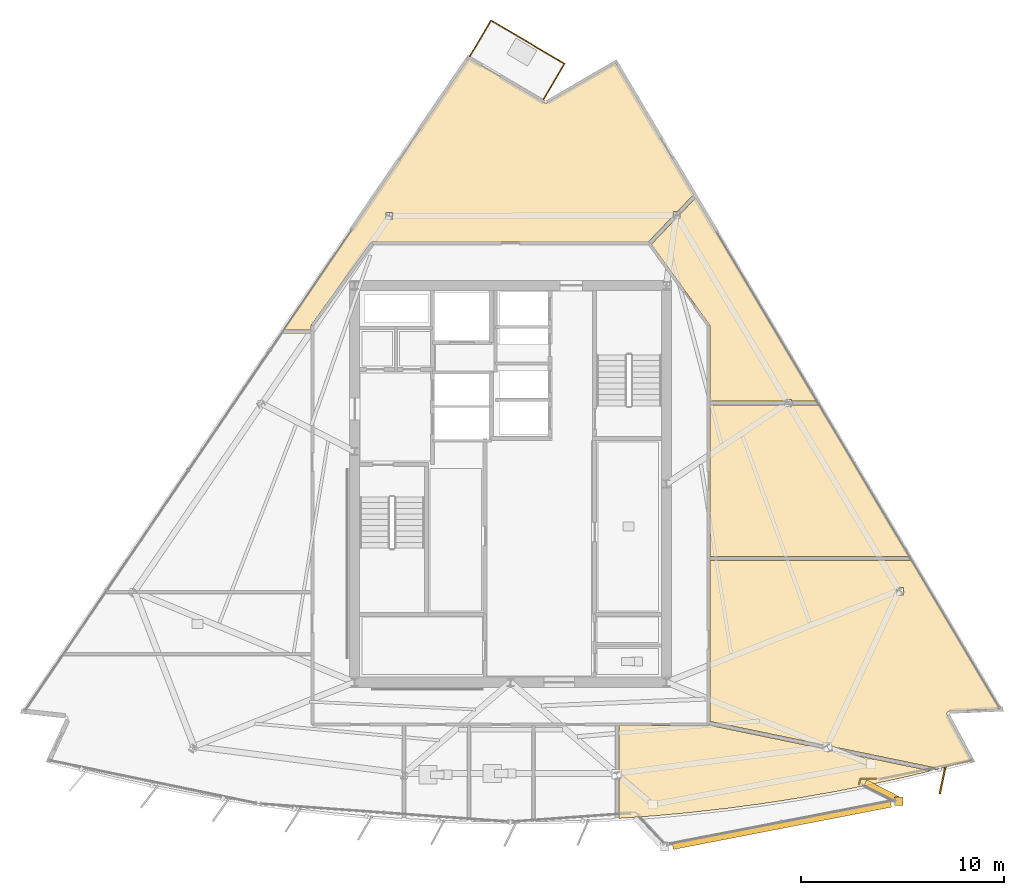
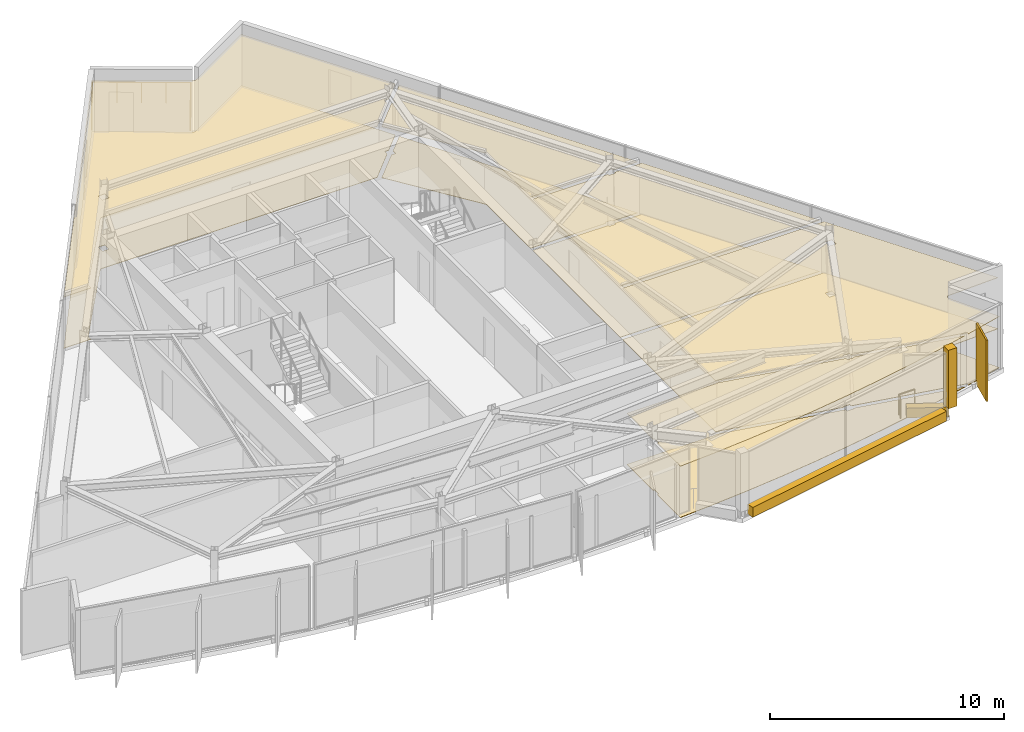
# One storey, part 11 of 12: 13 coverings, 4 railings, 1 shading device.
"""IFC4 building model written with IfcOpenShell, lengths in metres."""

from ifc_helpers import new_model, si_unit, direction, frame, origin, origin_2d, place, context, subcontext, project, spatial, polyline, rectangle, circle, outline, extrude, material, layer, layer_set, type_object, element, save


model = new_model("IFC4")

# Units and contexts
model_context = context("Model", 3, precision=1e-05, world=origin(), true_north=direction((0.0, 1.0)))
body_context = subcontext(model_context, "Body", "Model", "MODEL_VIEW")
ifc_project = project(units=[si_unit("LENGTHUNIT", "METRE"), si_unit("AREAUNIT", "SQUARE_METRE"), si_unit("VOLUMEUNIT", "CUBIC_METRE"), si_unit("PLANEANGLEUNIT", "RADIAN"), si_unit("MASSUNIT", "GRAM", prefix="KILO")], contexts=[model_context])

# Site, building, storey
site_placement = place(None, origin())
site = spatial("IfcSite", under=ifc_project, at=site_placement, CompositionType="ELEMENT")
building_placement = place(site_placement, origin())
building = spatial("IfcBuilding", under=site, at=building_placement, Name="Savorim Split Tower", CompositionType="ELEMENT")
storey_placement = place(building_placement, frame((0.0, 0.0, 261.60009765625)))
storey = spatial("IfcBuildingStorey", under=building, at=storey_placement, Name="L69", CompositionType="ELEMENT", Elevation=261.60009765625)

# Coverings
ifc_material_1 = material(Name="Mineral Fibre Acoustic Ceiling")
ifc_layer_1 = layer(ifc_material_1, 0.02490234375)
ifc_layer_set_1 = layer_set([ifc_layer_1], Name="COV-CEIL-25")
covering_type_1 = type_object("IfcCoveringType", Name="COV-CEIL-25", PredefinedType="CEILING", material=ifc_layer_set_1)
covering_1_placement = place(storey_placement, frame((0.0, 0.0, 2.669921875)))
element("IfcCovering", 1, at=covering_1_placement, inside=storey, type_object=covering_type_1, Name="L69 Communal Lounge Acoustic Ceiling", PredefinedType="CEILING", context=body_context, shape_type="SweptSolid", body=[
    extrude(outline(polyline([(14.2060546875, -15.117919921875), (15.962646484375, -14.80908203125), (17.712890625, -14.464599609375), (19.45556640625, -14.084228515625), (20.75732421875, -13.77197265625), (15.8330078125, -12.75830078125), (15.8330078125, -12.802490234375), (15.50390625, -12.802490234375), (15.50390625, -12.690673828125), (9.818115234375, -11.520263671875), (9.782470703125, -11.512939453125), (9.77783203125, -11.516357421875), (9.76611328125, -11.5234375), (9.753662109375, -11.529296875), (9.740478515625, -11.533935546875), (9.727294921875, -11.537353515625), (9.713623046875, -11.539306640625), (9.699951171875, -11.5400390625), (5.34619140625, -11.5400390625), (5.34619140625, -13.7900390625), (5.415771484375, -13.7900390625), (5.415771484375, -14.14013671875), (5.34619140625, -14.14013671875), (5.34619140625, -16.073974609375), (5.34619140625, -16.119140625), (5.34765625, -16.118896484375), (7.126953125, -15.991455078125), (8.90283203125, -15.827392578125), (10.67529296875, -15.626953125), (12.443359375, -15.390380859375), (14.2060546875, -15.117919921875)])), origin(), (0.0, 0.0, 1.0), 0.02490234375),
])
covering_2_placement = place(storey_placement, frame((0.0, 0.0, 2.669921875)))
element("IfcCovering", 2, at=covering_2_placement, inside=storey, type_object=covering_type_1, Name="L69 Co-Working Commons Acoustic Ceiling", PredefinedType="CEILING", context=body_context, shape_type="SweptSolid", body=[
    extrude(outline(polyline([(21.639404296875, -10.830810546875), (21.650634765625, -10.828857421875), (21.662109375, -10.82763671875), (24.16357421875, -10.72119140625), (19.80078125, -3.384521484375), (9.840087890625, -3.384521484375), (9.840087890625, -11.330810546875), (15.50390625, -12.49658203125), (15.50390625, -12.45263671875), (15.8330078125, -12.45263671875), (15.8330078125, -12.564453125), (20.87890625, -13.60302734375), (20.9716796875, -13.622314453125), (20.950439453125, -13.7255859375), (21.18994140625, -13.668212890625), (22.769287109375, -13.25537109375), (21.5615234375, -11.00439453125), (21.556640625, -10.993896484375), (21.552734375, -10.983154296875), (21.5498046875, -10.971923828125), (21.548095703125, -10.96044921875), (21.54736328125, -10.948974609375), (21.547607421875, -10.9375), (21.54931640625, -10.926025390625), (21.552001953125, -10.914794921875), (21.5556640625, -10.90380859375), (21.560302734375, -10.893310546875), (21.56591796875, -10.88330078125), (21.57275390625, -10.873779296875), (21.580078125, -10.864990234375), (21.58837890625, -10.857177734375), (21.59765625, -10.849853515625), (21.607421875, -10.84375), (21.61767578125, -10.83837890625), (21.62841796875, -10.833984375), (21.639404296875, -10.830810546875)]), holes=[polyline([(19.4091796875, -5.076904296875), (19.4091796875, -4.726806640625), (19.080078125, -4.726806640625), (19.080078125, -5.076904296875), (19.4091796875, -5.076904296875)])]), origin(), (0.0, 0.0, 1.0), 0.02490234375),
])
covering_3_placement = place(storey_placement, frame((0.0, 0.0, 2.669921875)))
element("IfcCovering", 3, at=covering_3_placement, inside=storey, type_object=covering_type_1, Name="L69 Co-Working Commons Acoustic Ceiling", PredefinedType="CEILING", context=body_context, shape_type="SweptSolid", body=[
    extrude(outline(polyline([(13.558837890625, 4.20849609375), (13.558837890625, 4.28857421875), (9.840087890625, 4.28857421875), (9.840087890625, -3.194580078125), (19.68798828125, -3.194580078125), (15.21875, 4.321533203125), (15.21875, 4.28857421875), (13.887939453125, 4.28857421875), (13.887939453125, 4.20849609375), (13.558837890625, 4.20849609375)])), origin(), (0.0, 0.0, 1.0), 0.02490234375),
])
covering_4_placement = place(storey_placement, frame((0.0, 0.0, 2.669921875)))
element("IfcCovering", 4, at=covering_4_placement, inside=storey, type_object=covering_type_1, Name="L69 Quiet Study Room Acoustic Ceiling", PredefinedType="CEILING", context=body_context, shape_type="SweptSolid", body=[
    extrude(outline(polyline([(13.887939453125, 4.55859375), (13.887939453125, 4.478515625), (15.123779296875, 4.478515625), (15.12548828125, 4.478515625), (9.151611328125, 14.525146484375), (8.36669921875, 13.70361328125), (8.36669921875, 13.493896484375), (8.166259765625, 13.493896484375), (6.964599609375, 12.236328125), (6.954345703125, 12.2255859375), (9.813232421875, 8.2822265625), (9.8212890625, 8.27001953125), (9.827880859375, 8.2568359375), (9.833251953125, 8.2431640625), (9.8369140625, 8.22900390625), (9.839111328125, 8.214599609375), (9.840087890625, 8.199951171875), (9.840087890625, 4.478515625), (13.558837890625, 4.478515625), (13.558837890625, 4.55859375), (13.887939453125, 4.55859375)])), origin(), (0.0, 0.0, 1.0), 0.02490234375),
])
covering_5_placement = place(storey_placement, frame((0.0, 0.0, 2.669921875)))
element("IfcCovering", 5, at=covering_5_placement, inside=storey, type_object=covering_type_1, Name="L69 Co-Working Commons Acoustic Ceiling", PredefinedType="CEILING", context=body_context, shape_type="SweptSolid", body=[
    extrude(outline(polyline([(1.697265625, 19.2041015625), (1.6865234375, 19.20849609375), (1.676513671875, 19.213623046875), (-2.071533203125, 21.41650390625), (-11.19482421875, 8.00537109375), (-9.840087890625, 8.00537109375), (-9.840087890625, 8.199951171875), (-9.839111328125, 8.214599609375), (-9.8369140625, 8.22900390625), (-9.833251953125, 8.2431640625), (-9.827880859375, 8.2568359375), (-9.8212890625, 8.27001953125), (-9.813232421875, 8.2822265625), (-6.913330078125, 12.2822265625), (-6.905029296875, 12.29248046875), (-6.89599609375, 12.302001953125), (-6.885986328125, 12.310546875), (-6.875, 12.318115234375), (-6.863525390625, 12.32470703125), (-6.8515625, 12.330078125), (-6.839111328125, 12.33447265625), (-6.826416015625, 12.33740234375), (-6.813232421875, 12.33935546875), (-6.800048828125, 12.340087890625), (6.800048828125, 12.340087890625), (6.80078125, 12.340087890625), (8.03759765625, 13.634521484375), (8.03759765625, 13.843994140625), (8.238037109375, 13.843994140625), (8.99658203125, 14.637939453125), (9.05078125, 14.694580078125), (5.188720703125, 21.189697265625), (1.797607421875, 19.21337890625), (1.787353515625, 19.208251953125), (1.776611328125, 19.203857421875), (1.765625, 19.20068359375), (1.75439453125, 19.198486328125), (1.742919921875, 19.197265625), (1.731201171875, 19.197265625), (1.7197265625, 19.198486328125), (1.70849609375, 19.20068359375), (1.697265625, 19.2041015625)]), holes=[polyline([(-5.815185546875, 13.795166015625), (-6.144287109375, 13.795166015625), (-6.144287109375, 13.4453125), (-5.815185546875, 13.4453125), (-5.815185546875, 13.795166015625)])]), origin(), (0.0, 0.0, 1.0), 0.02490234375),
])
ifc_material_2 = material(Name="Porcelain Stoneware Flooring", Category="masonry")
ifc_layer_2 = layer(ifc_material_2, 0.02001953125)
ifc_layer_set_2 = layer_set([ifc_layer_2], Name="COV-FLOR-20")
covering_type_2 = type_object("IfcCoveringType", Name="COV-FLOR-20", PredefinedType="FLOORING", material=ifc_layer_set_2)
covering_6_placement = place(storey_placement, origin())
element("IfcCovering", 6, at=covering_6_placement, inside=storey, type_object=covering_type_2, Name="L69 Communal Lounge Porcelain Flooring", PredefinedType="FLOORING", context=body_context, shape_type="SweptSolid", body=[
    extrude(outline(polyline([(14.2060546875, -15.117919921875), (15.962646484375, -14.80908203125), (17.712890625, -14.464599609375), (19.45556640625, -14.084228515625), (20.75732421875, -13.77197265625), (15.8330078125, -12.75830078125), (15.8330078125, -12.802490234375), (15.50390625, -12.802490234375), (15.50390625, -12.690673828125), (9.818115234375, -11.520263671875), (9.782470703125, -11.512939453125), (9.77783203125, -11.516357421875), (9.76611328125, -11.5234375), (9.753662109375, -11.529296875), (9.740478515625, -11.533935546875), (9.727294921875, -11.537353515625), (9.713623046875, -11.539306640625), (9.699951171875, -11.5400390625), (5.34619140625, -11.5400390625), (5.34619140625, -13.7900390625), (5.415771484375, -13.7900390625), (5.415771484375, -14.14013671875), (5.34619140625, -14.14013671875), (5.34619140625, -16.073974609375), (5.34619140625, -16.119140625), (5.34765625, -16.118896484375), (7.126953125, -15.991455078125), (8.90283203125, -15.827392578125), (10.67529296875, -15.626953125), (12.443359375, -15.390380859375), (14.2060546875, -15.117919921875)])), origin(), (0.0, 0.0, 1.0), 0.02001953125),
])
covering_7_placement = place(storey_placement, origin())
element("IfcCovering", 7, at=covering_7_placement, inside=storey, type_object=covering_type_2, Name="L69 Co-Working Commons Porcelain Flooring", PredefinedType="FLOORING", context=body_context, shape_type="SweptSolid", body=[
    extrude(outline(polyline([(21.639404296875, -10.830810546875), (21.650634765625, -10.828857421875), (21.662109375, -10.82763671875), (24.16357421875, -10.72119140625), (19.80078125, -3.384521484375), (9.840087890625, -3.384521484375), (9.840087890625, -11.330810546875), (15.50390625, -12.49658203125), (15.50390625, -12.45263671875), (15.8330078125, -12.45263671875), (15.8330078125, -12.564453125), (20.87890625, -13.60302734375), (20.9716796875, -13.622314453125), (20.950439453125, -13.7255859375), (21.18994140625, -13.668212890625), (22.769287109375, -13.25537109375), (21.5615234375, -11.00439453125), (21.556640625, -10.993896484375), (21.552734375, -10.983154296875), (21.5498046875, -10.971923828125), (21.548095703125, -10.96044921875), (21.54736328125, -10.948974609375), (21.547607421875, -10.9375), (21.54931640625, -10.926025390625), (21.552001953125, -10.914794921875), (21.5556640625, -10.90380859375), (21.560302734375, -10.893310546875), (21.56591796875, -10.88330078125), (21.57275390625, -10.873779296875), (21.580078125, -10.864990234375), (21.58837890625, -10.857177734375), (21.59765625, -10.849853515625), (21.607421875, -10.84375), (21.61767578125, -10.83837890625), (21.62841796875, -10.833984375), (21.639404296875, -10.830810546875)]), holes=[polyline([(19.4091796875, -5.076904296875), (19.4091796875, -4.726806640625), (19.080078125, -4.726806640625), (19.080078125, -5.076904296875), (19.4091796875, -5.076904296875)])]), origin(), (0.0, 0.0, 1.0), 0.02001953125),
])
covering_8_placement = place(storey_placement, origin())
element("IfcCovering", 8, at=covering_8_placement, inside=storey, type_object=covering_type_2, Name="L69 Co-Working Commons Porcelain Flooring", PredefinedType="FLOORING", context=body_context, shape_type="SweptSolid", body=[
    extrude(outline(polyline([(13.558837890625, 4.20849609375), (13.558837890625, 4.28857421875), (9.840087890625, 4.28857421875), (9.840087890625, -3.194580078125), (19.68798828125, -3.194580078125), (15.21875, 4.321533203125), (15.21875, 4.28857421875), (13.887939453125, 4.28857421875), (13.887939453125, 4.20849609375), (13.558837890625, 4.20849609375)])), origin(), (0.0, 0.0, 1.0), 0.02001953125),
])
covering_9_placement = place(storey_placement, origin())
element("IfcCovering", 9, at=covering_9_placement, inside=storey, type_object=covering_type_2, Name="L69 Quiet Study Room Porcelain Flooring", PredefinedType="FLOORING", context=body_context, shape_type="SweptSolid", body=[
    extrude(outline(polyline([(13.887939453125, 4.55859375), (13.887939453125, 4.478515625), (15.123779296875, 4.478515625), (15.12548828125, 4.478515625), (9.151611328125, 14.525146484375), (8.36669921875, 13.70361328125), (8.36669921875, 13.493896484375), (8.166259765625, 13.493896484375), (6.964599609375, 12.236328125), (6.954345703125, 12.2255859375), (9.813232421875, 8.2822265625), (9.8212890625, 8.27001953125), (9.827880859375, 8.2568359375), (9.833251953125, 8.2431640625), (9.8369140625, 8.22900390625), (9.839111328125, 8.214599609375), (9.840087890625, 8.199951171875), (9.840087890625, 4.478515625), (13.558837890625, 4.478515625), (13.558837890625, 4.55859375), (13.887939453125, 4.55859375)])), origin(), (0.0, 0.0, 1.0), 0.02001953125),
])
covering_10_placement = place(storey_placement, origin())
element("IfcCovering", 10, at=covering_10_placement, inside=storey, type_object=covering_type_2, Name="L69 Co-Working Commons Porcelain Flooring", PredefinedType="FLOORING", context=body_context, shape_type="SweptSolid", body=[
    extrude(outline(polyline([(1.697265625, 19.2041015625), (1.6865234375, 19.20849609375), (1.676513671875, 19.213623046875), (-2.071533203125, 21.41650390625), (-11.19482421875, 8.00537109375), (-9.840087890625, 8.00537109375), (-9.840087890625, 8.199951171875), (-9.839111328125, 8.214599609375), (-9.8369140625, 8.22900390625), (-9.833251953125, 8.2431640625), (-9.827880859375, 8.2568359375), (-9.8212890625, 8.27001953125), (-9.813232421875, 8.2822265625), (-6.913330078125, 12.2822265625), (-6.905029296875, 12.29248046875), (-6.89599609375, 12.302001953125), (-6.885986328125, 12.310546875), (-6.875, 12.318115234375), (-6.863525390625, 12.32470703125), (-6.8515625, 12.330078125), (-6.839111328125, 12.33447265625), (-6.826416015625, 12.33740234375), (-6.813232421875, 12.33935546875), (-6.800048828125, 12.340087890625), (6.800048828125, 12.340087890625), (6.80078125, 12.340087890625), (8.03759765625, 13.634521484375), (8.03759765625, 13.843994140625), (8.238037109375, 13.843994140625), (8.99658203125, 14.637939453125), (9.05078125, 14.694580078125), (5.188720703125, 21.189697265625), (1.797607421875, 19.21337890625), (1.787353515625, 19.208251953125), (1.776611328125, 19.203857421875), (1.765625, 19.20068359375), (1.75439453125, 19.198486328125), (1.742919921875, 19.197265625), (1.731201171875, 19.197265625), (1.7197265625, 19.198486328125), (1.70849609375, 19.20068359375), (1.697265625, 19.2041015625)]), holes=[polyline([(-5.815185546875, 13.795166015625), (-6.144287109375, 13.795166015625), (-6.144287109375, 13.4453125), (-5.815185546875, 13.4453125), (-5.815185546875, 13.795166015625)])]), origin(), (0.0, 0.0, 1.0), 0.02001953125),
])
ifc_material_3 = material(Name="White Porcelain Architectural Cladding")
ifc_layer_3 = layer(ifc_material_3, 0.139892578125)
ifc_layer_set_3 = layer_set([ifc_layer_3], Name="COV-FRM-WHITE")
covering_type_3 = type_object("IfcCoveringType", Name="COV-FRM-WHITE", PredefinedType="CLADDING", material=ifc_layer_set_3)
covering_11_placement = place(storey_placement, frame((0.0, 0.0, 0.010009765625)))
element("IfcCovering", 11, at=covering_11_placement, inside=storey, type_object=covering_type_3, Name="L69 Cantilevered Lounge White Lower Frame Band F", PredefinedType="CLADDING", context=body_context, shape_type="SweptSolid", body=[
    extrude(outline(polyline([(8.04248046875, -17.656982421875), (18.817138671875, -15.56591796875), (18.75244140625, -15.232177734375), (7.9775390625, -17.3232421875), (8.04248046875, -17.656982421875)])), origin(), (0.0, 0.0, 1.0), 0.510009765625),
])
covering_12_placement = place(storey_placement, frame((0.0, 0.0, 0.010009765625)))
element("IfcCovering", 12, at=covering_12_placement, inside=storey, type_object=covering_type_3, Name="L69 Cantilevered Lounge White Lower Frame Band E", PredefinedType="CLADDING", context=body_context, shape_type="SweptSolid", body=[
    extrude(outline(polyline([(19.197021484375, -15.04150390625), (17.594970703125, -14.220947265625), (17.43994140625, -14.523681640625), (19.0419921875, -15.343994140625), (19.197021484375, -15.04150390625)])), origin(), (0.0, 0.0, 1.0), 0.510009765625),
])
covering_13_placement = place(storey_placement, frame((0.0, 0.0, 0.539794921875)))
element("IfcCovering", 13, at=covering_13_placement, inside=storey, type_object=covering_type_3, Name="L69 Cantilevered Lounge White Frame Corner Post 2", PredefinedType="CLADDING", context=body_context, shape_type="SweptSolid", body=[
    extrude(outline(polyline([(18.9580078125, -15.48388671875), (19.3779296875, -15.48388671875), (19.3779296875, -15.063720703125), (18.9580078125, -15.063720703125), (18.9580078125, -15.48388671875)])), origin(), (0.0, 0.0, 1.0), 3.050048828125),
])

# Railings
ifc_material_4 = material(Name="Galvanised Painted Steel Balustrade", Category="steel")
railing_type = type_object("IfcRailingType", Name="RLG-BAL-1100", PredefinedType="BALUSTRADE", material=ifc_material_4)
railing_1_placement = place(storey_placement, frame((17.206787109375, -14.432861328125, 0.0)))
element("IfcRailing", 14, at=railing_1_placement, inside=storey, type_object=railing_type, Name="L69 Cantilevered Lounge East Edge Closure Guard", PredefinedType="BALUSTRADE", context=body_context, shape_type="SweptSolid", body=[
    extrude(circle(Radius=0.02392578125, at=origin_2d()), frame((0.0, 0.0, 1.076171875), z_axis=(0.260219043811, 0.965549609931, 0.0), x_axis=(-0.965549609931, 0.260219043811, 0.0)), (0.0, 0.0, 1.0), 0.28515625),
    extrude(circle(Radius=0.02392578125, at=origin_2d()), frame((0.07421875, 0.275390625, 1.076171875), z_axis=(1.0, 0.0, 0.0), x_axis=(0.0, 1.0, 0.0)), (0.0, 0.0, 1.0), 0.780029296875),
    extrude(circle(Radius=0.02099609375, at=origin_2d()), origin(), (0.0, 0.0, 1.0), 1.052001953125),
    extrude(circle(Radius=0.02099609375, at=origin_2d()), frame((0.07421875, 0.275390625, 0.0)), (0.0, 0.0, 1.0), 1.052001953125),
    extrude(circle(Radius=0.02099609375, at=origin_2d()), frame((0.854248046875, 0.275390625, 0.0)), (0.0, 0.0, 1.0), 1.052001953125),
])
railing_2_placement = place(storey_placement, frame((-2.004150390625, 21.51611328125, 0.0)))
element("IfcRailing", 15, at=railing_2_placement, inside=storey, type_object=railing_type, Name="L69 Tree Balcony Guardrail N-1", PredefinedType="BALUSTRADE", context=body_context, shape_type="SweptSolid", body=[
    extrude(circle(Radius=0.02392578125, at=origin_2d()), frame((0.0, 0.0, 1.076171875), z_axis=(0.506733850669, 0.862102548764, 0.0), x_axis=(-0.862102548764, 0.506733850669, 0.0)), (0.0, 0.0, 1.0), 2.050048828125),
    extrude(circle(Radius=0.02099609375, at=origin_2d()), origin(), (0.0, 0.0, 1.0), 1.052001953125),
    extrude(circle(Radius=0.02099609375, at=origin_2d()), frame((0.51953125, 0.8837890625, 0.0)), (0.0, 0.0, 1.0), 1.052001953125),
    extrude(circle(Radius=0.02099609375, at=origin_2d()), frame((1.038818359375, 1.767333984375, 0.0)), (0.0, 0.0, 1.0), 1.052001953125),
])
railing_3_placement = place(storey_placement, frame((-0.96533203125, 23.283447265625, 0.0)))
element("IfcRailing", 16, at=railing_3_placement, inside=storey, type_object=railing_type, Name="L69 Tree Balcony Guardrail N-2", PredefinedType="BALUSTRADE", context=body_context, shape_type="SweptSolid", body=[
    extrude(circle(Radius=0.02392578125, at=origin_2d()), frame((0.0, 0.0, 1.076171875), z_axis=(0.862129004769, -0.506688838575, 0.0), x_axis=(0.506688838575, 0.862129004769, 0.0)), (0.0, 0.0, 1.0), 4.219482421875),
    extrude(circle(Radius=0.02099609375, at=origin_2d()), origin(), (0.0, 0.0, 1.0), 1.052001953125),
    extrude(circle(Radius=0.02099609375, at=origin_2d()), frame((0.909423828125, -0.534423828125, 0.0)), (0.0, 0.0, 1.0), 1.052001953125),
    extrude(circle(Radius=0.02099609375, at=origin_2d()), frame((1.81884765625, -1.06884765625, 0.0)), (0.0, 0.0, 1.0), 1.052001953125),
    extrude(circle(Radius=0.02099609375, at=origin_2d()), frame((2.728271484375, -1.603515625, 0.0)), (0.0, 0.0, 1.0), 1.052001953125),
    extrude(circle(Radius=0.02099609375, at=origin_2d()), frame((3.6376953125, -2.137939453125, 0.0)), (0.0, 0.0, 1.0), 1.052001953125),
])
railing_4_placement = place(storey_placement, frame((2.67236328125, 21.1455078125, 0.0)))
element("IfcRailing", 17, at=railing_4_placement, inside=storey, type_object=railing_type, Name="L69 Tree Balcony Guardrail N-3", PredefinedType="BALUSTRADE", context=body_context, shape_type="SweptSolid", body=[
    extrude(circle(Radius=0.02392578125, at=origin_2d()), frame((0.0, 0.0, 1.076171875), z_axis=(-0.506593312838, -0.862185139856, 0.0), x_axis=(0.862185139856, -0.506593312838, 0.0)), (0.0, 0.0, 1.0), 2.050048828125),
    extrude(circle(Radius=0.02099609375, at=origin_2d()), origin(), (0.0, 0.0, 1.0), 1.052001953125),
    extrude(circle(Radius=0.02099609375, at=origin_2d()), frame((-0.519287109375, -0.8837890625, 0.0)), (0.0, 0.0, 1.0), 1.052001953125),
    extrude(circle(Radius=0.02099609375, at=origin_2d()), frame((-1.03857421875, -1.767578125, 0.0)), (0.0, 0.0, 1.0), 1.052001953125),
])

# Shading device
ifc_material_5 = material(Name="Terracotta Ceramic-Coated Aluminium Fin", Category="masonry")
shading_device_type = type_object("IfcShadingDeviceType", Name="SHD-FIN-1360", PredefinedType="USERDEFINED", material=ifc_material_5)
shading_device_placement = place(storey_placement, frame((21.3349609375, -14.246337890625, -0.2001953125), z_axis=(0.0, 0.0, 1.0), x_axis=(-0.206721626106, -0.978399800337, 0.0)))
element("IfcShadingDevice", 18, at=shading_device_placement, inside=storey, type_object=shading_device_type, Name="L69 Sawtooth Shading Fin 13", ObjectType="FIN", PredefinedType="USERDEFINED", context=body_context, shape_type="SweptSolid", body=[
    extrude(rectangle(XDim=1.360107421875, YDim=0.080078125, at=origin_2d()), origin(), (0.0, 0.0, 1.0), 3.199951171875),
])

save(model, "model.ifc")
